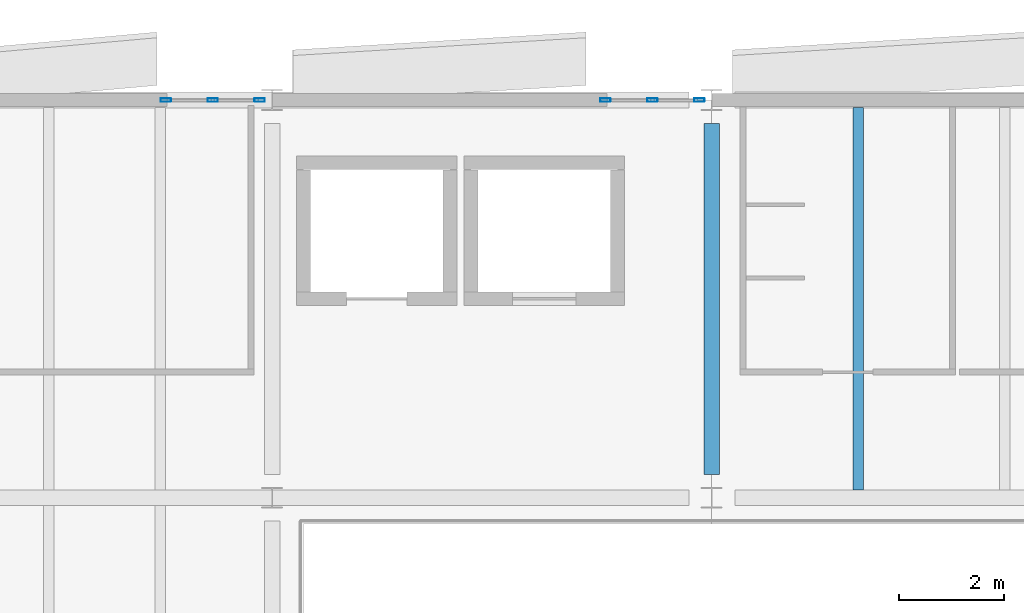
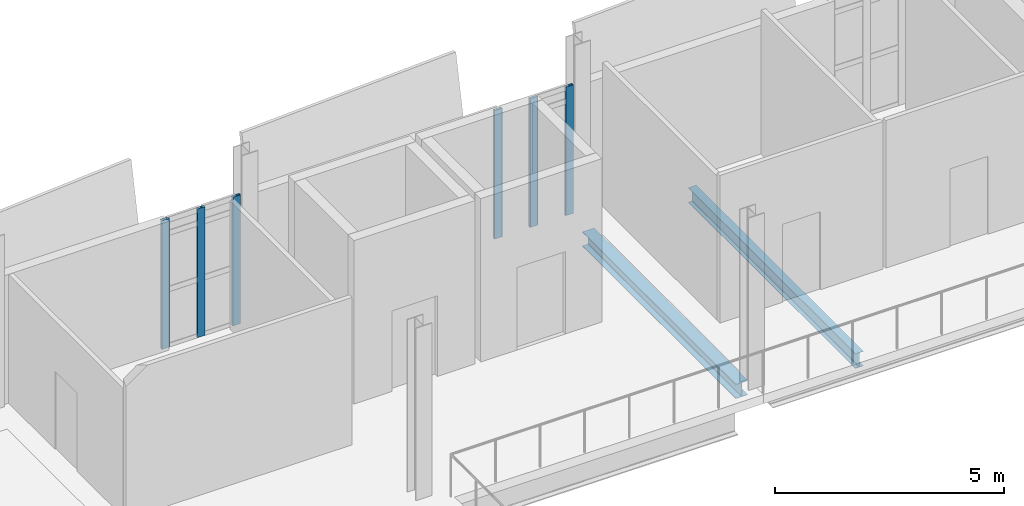
# One storey, part 66 of 172: 6 members, 2 beams, 2 elements without a shape of their own.
"""IFC4 building model written with IfcOpenShell, lengths in metres."""

import ifcopenshell
import ifcopenshell.guid

model = None  # the IFC model being written
_history = None  # IfcOwnerHistory: only IFC2X3 demands one
_inside = {}  # id of a spatial element -> (the spatial element, [elements in it])
_under = {}  # id of a project, library or spatial element -> (it, [spatial elements below it])
_declared = {}  # id of a project -> (the project, [libraries it declares])
_typed = {}  # id of a type object -> (the type object, [elements of that type])
_made_of = {}  # id of a material, layer set ... -> (it, [elements and type objects made of it])


def new_model(schema):
    """Start an empty IFC model of exactly this schema.

    Asked for "IFC4X3", IfcOpenShell would pick the latest addendum, in which some entities
    have other attributes; the version numbers below select the first issue.
    IFC2X3 requires an IfcOwnerHistory on every rooted entity: one is made here for all.
    """
    global model, _history
    if schema == "IFC4X3":
        model = ifcopenshell.file(schema_version=(4, 3, 0, 0))
    else:
        model = ifcopenshell.file(schema=schema)
    _inside.clear()
    _under.clear()
    _declared.clear()
    _typed.clear()
    _made_of.clear()
    _history = None
    if model.schema == "IFC2X3":
        org = make("IfcOrganization", Name="unknown")
        user = make(
            "IfcPersonAndOrganization",
            ThePerson=make("IfcPerson", FamilyName="unknown"),
            TheOrganization=org,
        )
        app = make(
            "IfcApplication",
            ApplicationDeveloper=org,
            Version="unknown",
            ApplicationFullName="unknown",
            ApplicationIdentifier="unknown",
        )
        _history = make(
            "IfcOwnerHistory",
            OwningUser=user,
            OwningApplication=app,
            ChangeAction="ADDED",
            CreationDate=0,
        )
    return model


def make(cls, **values):
    """One entity of the class cls with the attributes given. An attribute that is None is left unset."""
    return model.create_entity(
        cls, **{name: value for name, value in values.items() if value is not None}
    )


def rooted(cls, **values):
    """An entity with a GlobalId (a new one), such as an element, a storey or a relation."""
    return make(cls, GlobalId=ifcopenshell.guid.new(), OwnerHistory=_history, **values)


def si_unit(unit_type, name, prefix=None):
    """IfcSIUnit, for example si_unit("LENGTHUNIT", "METRE", prefix="MILLI")."""
    return make("IfcSIUnit", UnitType=unit_type, Prefix=prefix, Name=name)


def assignment(units):
    """IfcUnitAssignment: the units of a project."""
    return None if units is None else make("IfcUnitAssignment", Units=units)


def point(xyz):
    """IfcCartesianPoint."""
    return None if xyz is None else make("IfcCartesianPoint", Coordinates=xyz)


def direction(xyz):
    """IfcDirection."""
    return None if xyz is None else make("IfcDirection", DirectionRatios=xyz)


def frame(location, z_axis=None, x_axis=None):
    """IfcAxis2Placement3D, a coordinate frame: its origin and axes. An axis left out is left unset."""
    return make(
        "IfcAxis2Placement3D",
        Location=point(location),
        Axis=direction(z_axis),
        RefDirection=direction(x_axis),
    )


def frame_2d(location, x_axis=None):
    """IfcAxis2Placement2D, a coordinate frame in the plane: its origin and x axis."""
    return make(
        "IfcAxis2Placement2D", Location=point(location), RefDirection=direction(x_axis)
    )


def origin():
    """The frame at (0, 0, 0) with its axes left unset."""
    return frame((0.0, 0.0, 0.0))


def origin_2d():
    """The frame at (0, 0) in the plane with its x axis left unset."""
    return frame_2d((0.0, 0.0))


def place(relative_to, where):
    """IfcLocalPlacement: puts the frame where relative to a parent placement (None: the world)."""
    return make(
        "IfcLocalPlacement", PlacementRelTo=relative_to, RelativePlacement=where
    )


def context(
    kind, dimensions, precision=None, world=None, true_north=None, identifier=None
):
    """IfcGeometricRepresentationContext, for example the 3D "Model" context."""
    return make(
        "IfcGeometricRepresentationContext",
        ContextIdentifier=identifier,
        ContextType=kind,
        CoordinateSpaceDimension=dimensions,
        Precision=precision,
        WorldCoordinateSystem=world,
        TrueNorth=true_north,
    )


def subcontext(parent, identifier, kind, view, scale=None):
    """IfcGeometricRepresentationSubContext, for example "Body" below "Model"."""
    return make(
        "IfcGeometricRepresentationSubContext",
        ContextIdentifier=identifier,
        ContextType=kind,
        ParentContext=parent,
        TargetScale=scale,
        TargetView=view,
    )


def project(units=None, contexts=None):
    """IfcProject with its units and contexts."""
    return rooted(
        "IfcProject",
        Name="project",
        RepresentationContexts=contexts,
        UnitsInContext=assignment(units),
    )


def spatial(cls, under=None, at=None, **own):
    """A site, building, storey or space (cls), placed at a placement, below another one or the project."""
    s = rooted(cls, ObjectPlacement=at, **own)
    if under is not None:
        _under.setdefault(under.id(), (under, []))[1].append(s)
    return s


def profile(cls, at=None, kind="AREA", **sizes):
    """A parametric profile (cls). Its sizes go by their IFC names, for example OverallWidth=200.0."""
    return make(cls, ProfileType=kind, Position=at, **sizes)


def hollow_rectangle(**sizes):
    """IfcRectangleHollowProfileDef."""
    return profile("IfcRectangleHollowProfileDef", **sizes)


def i_section(**sizes):
    """IfcIShapeProfileDef."""
    return profile("IfcIShapeProfileDef", **sizes)


def extrude(swept, where, along, depth):
    """IfcExtrudedAreaSolid: the profile swept, set in the frame where, extruded along a direction by depth."""
    return make(
        "IfcExtrudedAreaSolid",
        SweptArea=swept,
        Position=where,
        ExtrudedDirection=direction(along),
        Depth=depth,
    )


def shape(context_of_items, identifier, shape_type, items):
    """IfcShapeRepresentation: the items that make up one representation, for example the "Body"."""
    return make(
        "IfcShapeRepresentation",
        ContextOfItems=context_of_items,
        RepresentationIdentifier=identifier,
        RepresentationType=shape_type,
        Items=items,
    )


def material(Name=None, Category=None):
    """IfcMaterial."""
    return make("IfcMaterial", Name=Name, Category=Category)


def material_profile(
    of_material, cross_section, Name=None, Category=None, Priority=None
):
    """IfcMaterialProfile: a cross section and its material."""
    return make(
        "IfcMaterialProfile",
        Name=Name,
        Material=of_material,
        Profile=cross_section,
        Priority=Priority,
        Category=Category,
    )


def profile_set(profiles, Name=None, composite=None):
    """IfcMaterialProfileSet."""
    return make(
        "IfcMaterialProfileSet",
        Name=Name,
        MaterialProfiles=profiles,
        CompositeProfile=composite,
    )


def made_of(thing, what):
    """Note that an element or type object is made of a material, layer set ...; save() writes the relation."""
    if what is not None:
        _made_of.setdefault(what.id(), (what, []))[1].append(thing)
    return thing


def type_object(cls, material=None, **own):
    """A type object (cls), such as IfcWallType, which elements share."""
    return made_of(rooted(cls, **own), material)


def element(
    cls,
    number,
    at=None,
    inside=None,
    cuts=None,
    type_object=None,
    material=None,
    context=None,
    identifier="Body",
    shape_type=None,
    held_by="IfcProductDefinitionShape",
    body=None,
    shapes=None,
    **own,
):
    """One element of the class cls, such as IfcWall. Its Tag is "e" and its number.

    at: its placement. inside: the storey or other place that contains it. cuts: it is an
    opening in that element (IfcRelVoidsElement). A single representation is given by context,
    identifier, shape_type and body (its items); several are given by shapes. held_by: the class
    of the entity that holds the representations. save() writes the other relations.
    """
    e = rooted(cls, Tag="e%d" % number, ObjectPlacement=at, **own)
    if body is not None:
        shapes = [shape(context, identifier, shape_type, body)]
    if shapes is not None:
        e.Representation = make(held_by, Representations=shapes)
    if inside is not None:
        _inside.setdefault(inside.id(), (inside, []))[1].append(e)
    if cuts is not None:
        rooted(
            "IfcRelVoidsElement", RelatingBuildingElement=cuts, RelatedOpeningElement=e
        )
    if type_object is not None:
        _typed.setdefault(type_object.id(), (type_object, []))[1].append(e)
    return made_of(e, material)


def aggregate(whole, parts):
    """IfcRelAggregates: a whole, such as a stair, and the parts it consists of."""
    return rooted("IfcRelAggregates", RelatingObject=whole, RelatedObjects=parts)


def save(model, path):
    """Write the relations noted so far, then the file.

    IfcRelAggregates (storeys below a building ...), IfcRelContainedInSpatialStructure (elements
    in a storey), IfcRelDefinesByType, IfcRelAssociatesMaterial and IfcRelDeclares: one each for
    every whole, place, type object, material and project.
    """
    for whole, parts in _under.values():
        aggregate(whole, parts)
    for where, things in _inside.values():
        rooted(
            "IfcRelContainedInSpatialStructure",
            RelatedElements=things,
            RelatingStructure=where,
        )
    for kind, things in _typed.values():
        rooted("IfcRelDefinesByType", RelatedObjects=things, RelatingType=kind)
    for what, things in _made_of.values():
        rooted("IfcRelAssociatesMaterial", RelatedObjects=things, RelatingMaterial=what)
    for by, libraries in _declared.values():
        rooted("IfcRelDeclares", RelatingContext=by, RelatedDefinitions=libraries)
    model.write(path)


model = new_model("IFC4")

# Units and contexts
model_context = context("Model", 3, precision=1e-05, world=origin(), true_north=direction((0.0, 1.0)))
body_context = subcontext(model_context, "Body", "Model", "MODEL_VIEW")
ifc_project = project(units=[si_unit("LENGTHUNIT", "METRE"), si_unit("AREAUNIT", "SQUARE_METRE"), si_unit("VOLUMEUNIT", "CUBIC_METRE"), si_unit("PLANEANGLEUNIT", "RADIAN"), si_unit("MASSUNIT", "GRAM", prefix="KILO")], contexts=[model_context])

# Site, building, storey
site_placement = place(None, origin())
site = spatial("IfcSite", under=ifc_project, at=site_placement, CompositionType="ELEMENT")
building_placement = place(site_placement, origin())
building = spatial("IfcBuilding", under=site, at=building_placement, Name="Shengluoqiao Park Theatre", CompositionType="ELEMENT")
storey_placement = place(building_placement, frame((0.0, 0.0, 5.39990234375)))
storey = spatial("IfcBuildingStorey", under=building, at=storey_placement, Name="L01", CompositionType="ELEMENT", Elevation=5.39990234375)

# Curtain wall, members
ifc_material_1 = material(Name="Aluminium 6063-T6", Category="aluminium")
curtain_wall_type = type_object("IfcCurtainWallType", Name="ENV-CW-FOYER", PredefinedType="NOTDEFINED", material=ifc_material_1)
curtain_wall_1_placement = place(storey_placement, origin())
curtain_wall_1 = element("IfcCurtainWall", 1, at=curtain_wall_1_placement, inside=storey, type_object=curtain_wall_type, Name="L01 Curtain Wall CW-L01-0047", PredefinedType="NOTDEFINED")
ifc_material_profile_1 = material_profile(ifc_material_1, hollow_rectangle(XDim=0.06494140625, YDim=0.199951171875, WallThickness=0.0048828125, InnerFilletRadius=0.0048828125, OuterFilletRadius=0.010009765625, at=origin_2d()), Name="ALU MULLION 200x65x5")
ifc_profile_set_1 = profile_set([ifc_material_profile_1], Name="Aluminium 6063-T6")
member_type = type_object("IfcMemberType", Name="ENV-MUL-200", PredefinedType="MULLION", material=ifc_profile_set_1)
member_1_placement = place(storey_placement, frame((17.16845703125, 76.0, 0.0), z_axis=(0.0, 0.0, 1.0), x_axis=(0.0, 1.0, 0.0)))
member_1 = element("IfcMember", 2, at=member_1_placement, type_object=member_type, Name="CW-01 mullion 1", PredefinedType="MULLION", context=body_context, shape_type="SweptSolid", body=[
    extrude(hollow_rectangle(XDim=0.06494140625, YDim=0.199951171875, WallThickness=0.0048828125, InnerFilletRadius=0.0048828125, OuterFilletRadius=0.010009765625, at=origin_2d()), origin(), (0.0, 0.0, 1.0), 3.43798828125),
])
member_2_placement = place(storey_placement, frame((18.06591796875, 76.0, 0.0), z_axis=(0.0, 0.0, 1.0), x_axis=(0.0, 1.0, 0.0)))
member_2 = element("IfcMember", 3, at=member_2_placement, type_object=member_type, Name="CW-01 mullion 2", PredefinedType="MULLION", context=body_context, shape_type="SweptSolid", body=[
    extrude(hollow_rectangle(XDim=0.06494140625, YDim=0.199951171875, WallThickness=0.0048828125, InnerFilletRadius=0.0048828125, OuterFilletRadius=0.010009765625, at=origin_2d()), origin(), (0.0, 0.0, 1.0), 3.43798828125),
])
member_3_placement = place(storey_placement, frame((18.96337890625, 76.0, 0.0), z_axis=(0.0, 0.0, 1.0), x_axis=(0.0, 1.0, 0.0)))
member_3 = element("IfcMember", 4, at=member_3_placement, type_object=member_type, Name="CW-01 mullion 3", PredefinedType="MULLION", context=body_context, shape_type="SweptSolid", body=[
    extrude(hollow_rectangle(XDim=0.06494140625, YDim=0.199951171875, WallThickness=0.0048828125, InnerFilletRadius=0.0048828125, OuterFilletRadius=0.010009765625, at=origin_2d()), origin(), (0.0, 0.0, 1.0), 3.43798828125),
])
aggregate(curtain_wall_1, [member_1, member_2, member_3])

curtain_wall_2_placement = place(storey_placement, origin())
curtain_wall_2 = element("IfcCurtainWall", 5, at=curtain_wall_2_placement, inside=storey, type_object=curtain_wall_type, Name="L01 Curtain Wall CW-L01-0048", PredefinedType="NOTDEFINED")
member_4_placement = place(storey_placement, frame((25.568603515625, 76.0, 0.0), z_axis=(0.0, 0.0, 1.0), x_axis=(0.0, 1.0, 0.0)))
member_4 = element("IfcMember", 6, at=member_4_placement, type_object=member_type, Name="CW-01 mullion 1", PredefinedType="MULLION", context=body_context, shape_type="SweptSolid", body=[
    extrude(hollow_rectangle(XDim=0.06494140625, YDim=0.199951171875, WallThickness=0.0048828125, InnerFilletRadius=0.0048828125, OuterFilletRadius=0.010009765625, at=origin_2d()), origin(), (0.0, 0.0, 1.0), 3.43798828125),
])
member_5_placement = place(storey_placement, frame((26.466064453125, 76.0, 0.0), z_axis=(0.0, 0.0, 1.0), x_axis=(0.0, 1.0, 0.0)))
member_5 = element("IfcMember", 7, at=member_5_placement, type_object=member_type, Name="CW-01 mullion 2", PredefinedType="MULLION", context=body_context, shape_type="SweptSolid", body=[
    extrude(hollow_rectangle(XDim=0.06494140625, YDim=0.199951171875, WallThickness=0.0048828125, InnerFilletRadius=0.0048828125, OuterFilletRadius=0.010009765625, at=origin_2d()), origin(), (0.0, 0.0, 1.0), 3.43798828125),
])
member_6_placement = place(storey_placement, frame((27.363525390625, 76.0, 0.0), z_axis=(0.0, 0.0, 1.0), x_axis=(0.0, 1.0, 0.0)))
member_6 = element("IfcMember", 8, at=member_6_placement, type_object=member_type, Name="CW-01 mullion 3", PredefinedType="MULLION", context=body_context, shape_type="SweptSolid", body=[
    extrude(hollow_rectangle(XDim=0.06494140625, YDim=0.199951171875, WallThickness=0.0048828125, InnerFilletRadius=0.0048828125, OuterFilletRadius=0.010009765625, at=origin_2d()), origin(), (0.0, 0.0, 1.0), 3.43798828125),
])
aggregate(curtain_wall_2, [member_4, member_5, member_6])

# Beams
ifc_material_2 = material(Name="Steel Q355", Category="steel")
ifc_material_profile_2 = material_profile(ifc_material_2, i_section(OverallWidth=0.300048828125, OverallDepth=0.389892578125, WebThickness=0.010009765625, FlangeThickness=0.01611328125, FilletRadius=0.01806640625, at=origin_2d()), Name="HM 390x300x10x16")
ifc_profile_set_2 = profile_set([ifc_material_profile_2], Name="Steel Q355")
beam_type_1 = type_object("IfcBeamType", Name="STR-BM-G-HM390", PredefinedType="BEAM", material=ifc_profile_set_2)
beam_1_placement = place(storey_placement, frame((27.60009765625, 68.843994140625, -0.434814453125), z_axis=(0.0, 1.0, 0.0), x_axis=(-1.0, 0.0, 0.0)))
element("IfcBeam", 9, at=beam_1_placement, inside=storey, type_object=beam_type_1, Name="L01 Transverse Girder 00467", PredefinedType="BEAM", context=body_context, shape_type="SweptSolid", body=[
    extrude(i_section(OverallWidth=0.300048828125, OverallDepth=0.389892578125, WebThickness=0.010009765625, FlangeThickness=0.01611328125, FilletRadius=0.01806640625, at=origin_2d()), origin(), (0.0, 0.0, 1.0), 6.7119140625),
])
ifc_material_profile_3 = material_profile(ifc_material_2, i_section(OverallWidth=0.199951171875, OverallDepth=0.39990234375, WebThickness=0.008056640625, FlangeThickness=0.012939453125, FilletRadius=0.01611328125, at=origin_2d()), Name="HN 400x200x8x13")
ifc_profile_set_3 = profile_set([ifc_material_profile_3], Name="Steel Q355")
beam_type_2 = type_object("IfcBeamType", Name="STR-BM-J-HN400", PredefinedType="JOIST", material=ifc_profile_set_3)
beam_2_placement = place(storey_placement, frame((30.39990234375, 68.544921875, -0.43994140625), z_axis=(0.0, 1.0, 0.0), x_axis=(-1.0, 0.0, 0.0)))
element("IfcBeam", 10, at=beam_2_placement, inside=storey, type_object=beam_type_2, Name="L01 Composite Joist 00494", PredefinedType="JOIST", context=body_context, shape_type="SweptSolid", body=[
    extrude(i_section(OverallWidth=0.199951171875, OverallDepth=0.39990234375, WebThickness=0.008056640625, FlangeThickness=0.012939453125, FilletRadius=0.01611328125, at=origin_2d()), origin(), (0.0, 0.0, 1.0), 7.31005859375),
])

save(model, "model.ifc")
